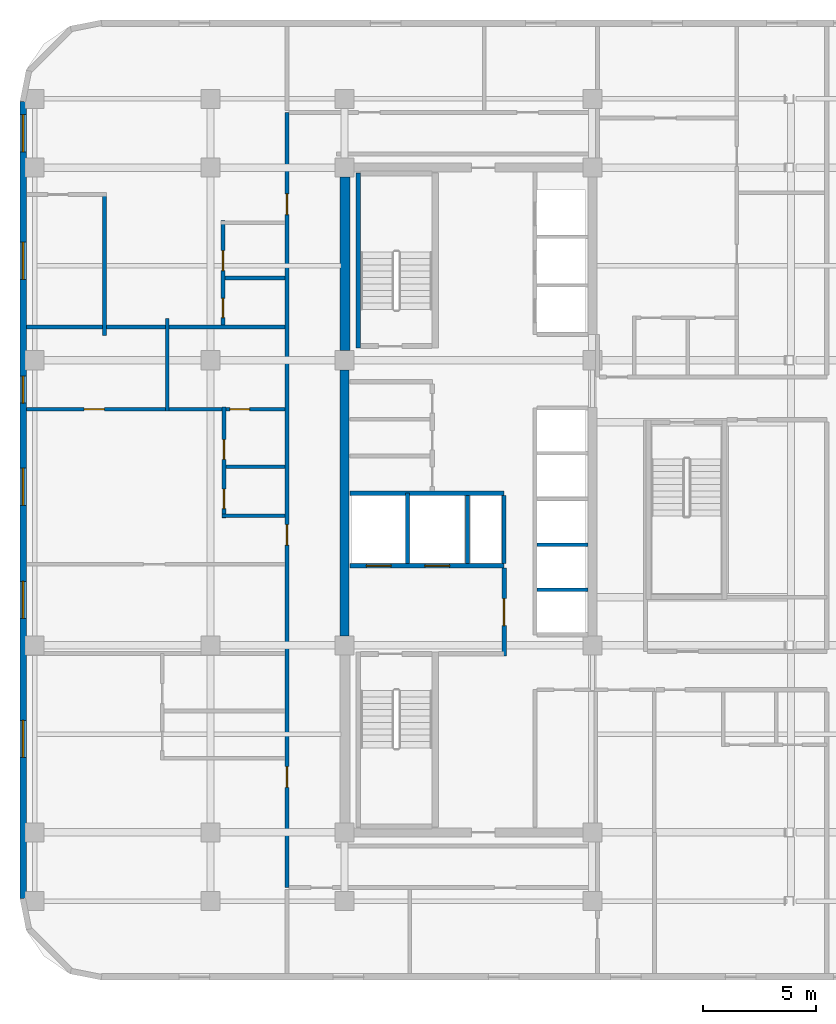
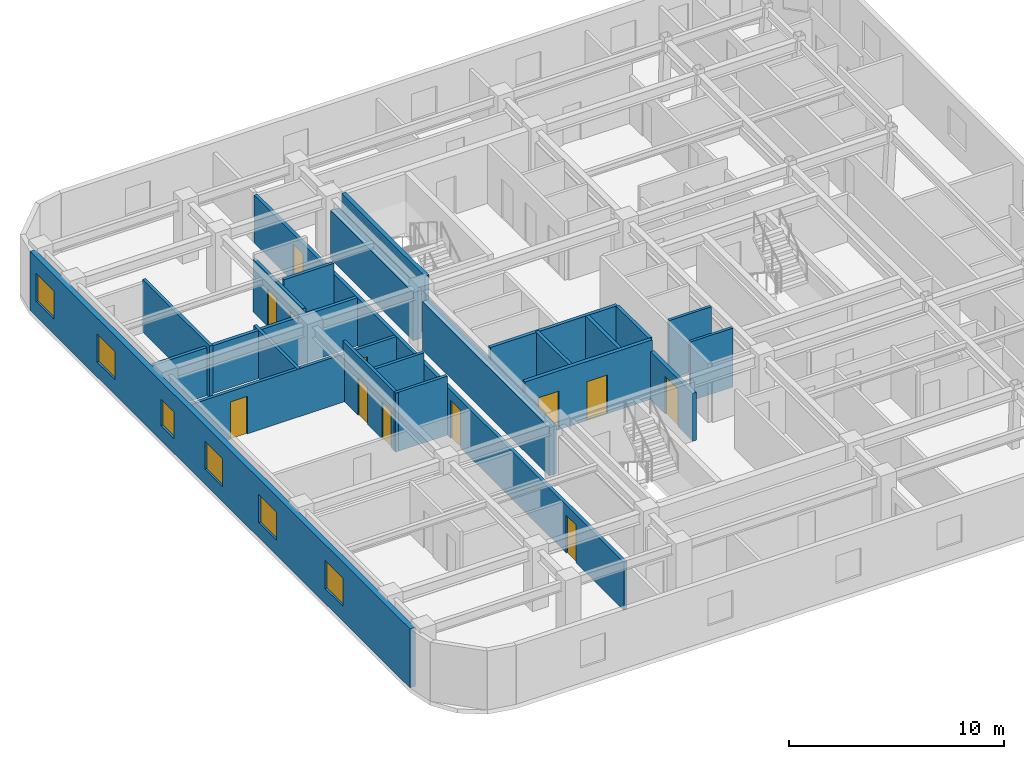
# One storey, part 4 of 9: 22 walls, 12 doors, 6 windows, 18 openings.
"""IFC4 building model written with IfcOpenShell, lengths in metres."""

from ifc_helpers import new_model, si_unit, direction, frame, frame_2d, origin, place, context, subcontext, project, spatial, rectangle, extrude, material, layer, layer_set, type_object, element, fill, save


model = new_model("IFC4")

# Units and contexts
model_context = context("Model", 3, precision=1e-05, world=origin(), true_north=direction((0.0, 1.0)))
body_context = subcontext(model_context, "Body", "Model", "MODEL_VIEW")
ifc_project = project(units=[si_unit("LENGTHUNIT", "METRE"), si_unit("AREAUNIT", "SQUARE_METRE"), si_unit("VOLUMEUNIT", "CUBIC_METRE"), si_unit("PLANEANGLEUNIT", "RADIAN"), si_unit("MASSUNIT", "GRAM", prefix="KILO")], contexts=[model_context])

# Site, building, storey
site_placement = place(None, origin())
site = spatial("IfcSite", under=ifc_project, at=site_placement, CompositionType="ELEMENT")
building_placement = place(site_placement, origin())
building = spatial("IfcBuilding", under=site, at=building_placement, Name="Ochreholt Gables", CompositionType="ELEMENT")
storey_placement = place(building_placement, frame((0.0, 0.0, 113.39990234375)))
storey = spatial("IfcBuildingStorey", under=building, at=storey_placement, Name="L29", CompositionType="ELEMENT", Elevation=113.39990234375)

# Walls
ifc_material_1 = material(Name="Concrete 60 MPa", Category="concrete")
ifc_layer_1 = layer(ifc_material_1, 0.39990234375, Name="Concrete 60 MPa")
ifc_layer_set_1 = layer_set([ifc_layer_1], Name="Concrete 60 MPa")
wall_type_1 = type_object("IfcWallType", Name="WALL-CSW-400", PredefinedType="SHEAR", material=ifc_layer_set_1)
wall_1_placement = place(storey_placement, frame((24.199951171875, 17.97509765625, 0.0), z_axis=(0.0, 0.0, 1.0), x_axis=(0.0, 1.0, 0.0)))
element("IfcWall", 1, at=wall_1_placement, inside=storey, type_object=wall_type_1, Name="L29 Core West Shear Wall WM", PredefinedType="SHEAR", context=body_context, shape_type="SweptSolid", body=[
    extrude(rectangle(XDim=11.7998046875, YDim=0.39990234375, at=frame_2d((5.89990234375, 0.0))), origin(), (0.0, 0.0, 1.0), 2.739013671875),
])
ifc_layer_2 = layer(ifc_material_1, 0.449951171875, Name="Concrete 60 MPa")
ifc_layer_set_2 = layer_set([ifc_layer_2], Name="Concrete 60 MPa")
wall_type_2 = type_object("IfcWallType", Name="WALL-CSW-450", PredefinedType="SHEAR", material=ifc_layer_set_2)
wall_2_placement = place(storey_placement, frame((24.22509765625, 30.625, 0.0), z_axis=(0.0, 0.0, 1.0), x_axis=(0.0, 1.0, 0.0)))
element("IfcWall", 2, at=wall_2_placement, inside=storey, type_object=wall_type_2, Name="L29 Core West Shear Wall WN", PredefinedType="SHEAR", context=body_context, shape_type="SweptSolid", body=[
    extrude(rectangle(XDim=7.699951171875, YDim=0.449951171875, at=frame_2d((3.85009765625, 0.0))), origin(), (0.0, 0.0, 1.0), 2.739013671875),
])

# Wall, openings, windows
ifc_material_2 = material(Name="Precast concrete 40 MPa", Category="concrete")
ifc_layer_3 = layer(ifc_material_2, 0.280029296875, Name="Precast concrete 40 MPa")
ifc_layer_set_3 = layer_set([ifc_layer_3], Name="Precast concrete 40 MPa")
wall_type_3 = type_object("IfcWallType", Name="WALL-EXT-280", PredefinedType="SOLIDWALL", material=ifc_layer_set_3)
wall_3_placement = place(storey_placement, frame((9.93994140625, 41.679931640625, 0.0), z_axis=(0.0, 0.0, 1.0), x_axis=(0.0, -1.0, 0.0)))
wall_3 = element("IfcWall", 3, at=wall_3_placement, inside=storey, type_object=wall_type_3, Name="L29 West Exterior Wall", PredefinedType="SOLIDWALL", context=body_context, shape_type="SweptSolid", body=[
    extrude(rectangle(XDim=35.35986328125, YDim=0.280029296875, at=frame_2d((17.679931640625, 0.0))), origin(), (0.0, 0.0, 1.0), 3.35009765625),
])
opening_1_placement = place(wall_3_placement, frame((27.455078125, 0.0, 0.85009765625)))
opening_1 = element("IfcOpeningElement", 4, at=opening_1_placement, cuts=wall_3, Name="Opening WN-7", PredefinedType="OPENING", context=body_context, shape_type="SweptSolid", body=[
    extrude(rectangle(XDim=1.64990234375, YDim=1.60009765625, at=frame_2d((0.824951171875, 0.800048828125))), frame((0.0, 0.14990234375, 0.0), z_axis=(0.0, -1.0, 0.0), x_axis=(1.0, 0.0, 0.0)), (0.0, 0.0, 1.0), 0.300048828125),
])
opening_2_placement = place(wall_3_placement, frame((21.28564453125, 0.0, 0.85009765625)))
opening_2 = element("IfcOpeningElement", 5, at=opening_2_placement, cuts=wall_3, Name="Opening WN-7", PredefinedType="OPENING", context=body_context, shape_type="SweptSolid", body=[
    extrude(rectangle(XDim=1.64990234375, YDim=1.60009765625, at=frame_2d((0.824951171875, 0.800048828125))), frame((0.0, 0.14990234375, 0.0), z_axis=(0.0, -1.0, 0.0), x_axis=(1.0, 0.0, 0.0)), (0.0, 0.0, 1.0), 0.300048828125),
])
opening_3_placement = place(wall_3_placement, frame((16.2666015625, 0.0, 0.85009765625)))
opening_3 = element("IfcOpeningElement", 6, at=opening_3_placement, cuts=wall_3, Name="Opening WN-7", PredefinedType="OPENING", context=body_context, shape_type="SweptSolid", body=[
    extrude(rectangle(XDim=1.64990234375, YDim=1.60009765625, at=frame_2d((0.824951171875, 0.800048828125))), frame((0.0, 0.14990234375, 0.0), z_axis=(0.0, -1.0, 0.0), x_axis=(1.0, 0.0, 0.0)), (0.0, 0.0, 1.0), 0.300048828125),
])
opening_4_placement = place(wall_3_placement, frame((12.18603515625, 0.0, 0.85009765625)))
opening_4 = element("IfcOpeningElement", 7, at=opening_4_placement, cuts=wall_3, Name="Opening WN-3", PredefinedType="OPENING", context=body_context, shape_type="SweptSolid", body=[
    extrude(rectangle(XDim=1.199951171875, YDim=1.5, at=frame_2d((0.60009765625, 0.75))), frame((0.0, 0.14990234375, 0.0), z_axis=(0.0, -1.0, 0.0), x_axis=(1.0, 0.0, 0.0)), (0.0, 0.0, 1.0), 0.300048828125),
])
opening_5_placement = place(wall_3_placement, frame((6.241943359375, 0.0, 0.85009765625)))
opening_5 = element("IfcOpeningElement", 8, at=opening_5_placement, cuts=wall_3, Name="Opening WN-7", PredefinedType="OPENING", context=body_context, shape_type="SweptSolid", body=[
    extrude(rectangle(XDim=1.64990234375, YDim=1.60009765625, at=frame_2d((0.824951171875, 0.800048828125))), frame((0.0, 0.14990234375, 0.0), z_axis=(0.0, -1.0, 0.0), x_axis=(1.0, 0.0, 0.0)), (0.0, 0.0, 1.0), 0.300048828125),
])
opening_6_placement = place(wall_3_placement, frame((0.580078125, 0.0, 0.85009765625)))
opening_6 = element("IfcOpeningElement", 9, at=opening_6_placement, cuts=wall_3, Name="Opening WN-7", PredefinedType="OPENING", context=body_context, shape_type="SweptSolid", body=[
    extrude(rectangle(XDim=1.64990234375, YDim=1.60009765625, at=frame_2d((0.824951171875, 0.800048828125))), frame((0.0, 0.14990234375, 0.0), z_axis=(0.0, -1.0, 0.0), x_axis=(1.0, 0.0, 0.0)), (0.0, 0.0, 1.0), 0.300048828125),
])
ifc_material_3 = material(Name="Triple-Glazed Thermally Broken Aluminium Window", Category="aluminium")
window_type_1 = type_object("IfcWindowType", Name="WIN-RES-1200", PartitioningType="SINGLE_PANEL", PredefinedType="WINDOW", material=ifc_material_3)
window_1_placement = place(opening_4_placement, origin())
window_1 = element("IfcWindow", 10, at=window_1_placement, inside=storey, type_object=window_type_1, Name="L29 Window W-EXT-W-L29-4", OverallHeight=1.5, OverallWidth=1.199951171875, PartitioningType="SINGLE_PANEL", PredefinedType="WINDOW", context=body_context, shape_type="SweptSolid", body=[
    extrude(rectangle(XDim=1.199951171875, YDim=1.5, at=frame_2d((0.60009765625, 0.75))), frame((0.0, 0.030029296875, 0.0), z_axis=(0.0, -1.0, 0.0), x_axis=(1.0, 0.0, 0.0)), (0.0, 0.0, 1.0), 0.06005859375),
])
fill(opening_4, window_1)
window_type_2 = type_object("IfcWindowType", Name="WIN-RES-1650", PartitioningType="SINGLE_PANEL", PredefinedType="WINDOW", material=ifc_material_3)
window_2_placement = place(opening_1_placement, origin())
window_2 = element("IfcWindow", 11, at=window_2_placement, inside=storey, type_object=window_type_2, Name="L29 Window W-EXT-W-L29-1", OverallHeight=1.60009765625, OverallWidth=1.64990234375, PartitioningType="SINGLE_PANEL", PredefinedType="WINDOW", context=body_context, shape_type="SweptSolid", body=[
    extrude(rectangle(XDim=1.64990234375, YDim=1.60009765625, at=frame_2d((0.824951171875, 0.800048828125))), frame((0.0, 0.030029296875, 0.0), z_axis=(0.0, -1.0, 0.0), x_axis=(1.0, 0.0, 0.0)), (0.0, 0.0, 1.0), 0.06005859375),
])
fill(opening_1, window_2)
window_3_placement = place(opening_2_placement, origin())
window_3 = element("IfcWindow", 12, at=window_3_placement, inside=storey, type_object=window_type_2, Name="L29 Window W-EXT-W-L29-2", OverallHeight=1.60009765625, OverallWidth=1.64990234375, PartitioningType="SINGLE_PANEL", PredefinedType="WINDOW", context=body_context, shape_type="SweptSolid", body=[
    extrude(rectangle(XDim=1.64990234375, YDim=1.60009765625, at=frame_2d((0.824951171875, 0.800048828125))), frame((0.0, 0.030029296875, 0.0), z_axis=(0.0, -1.0, 0.0), x_axis=(1.0, 0.0, 0.0)), (0.0, 0.0, 1.0), 0.06005859375),
])
fill(opening_2, window_3)
window_4_placement = place(opening_3_placement, origin())
window_4 = element("IfcWindow", 13, at=window_4_placement, inside=storey, type_object=window_type_2, Name="L29 Window W-EXT-W-L29-3", OverallHeight=1.60009765625, OverallWidth=1.64990234375, PartitioningType="SINGLE_PANEL", PredefinedType="WINDOW", context=body_context, shape_type="SweptSolid", body=[
    extrude(rectangle(XDim=1.64990234375, YDim=1.60009765625, at=frame_2d((0.824951171875, 0.800048828125))), frame((0.0, 0.030029296875, 0.0), z_axis=(0.0, -1.0, 0.0), x_axis=(1.0, 0.0, 0.0)), (0.0, 0.0, 1.0), 0.06005859375),
])
fill(opening_3, window_4)
window_5_placement = place(opening_5_placement, origin())
window_5 = element("IfcWindow", 14, at=window_5_placement, inside=storey, type_object=window_type_2, Name="L29 Window W-EXT-W-L29-5", OverallHeight=1.60009765625, OverallWidth=1.64990234375, PartitioningType="SINGLE_PANEL", PredefinedType="WINDOW", context=body_context, shape_type="SweptSolid", body=[
    extrude(rectangle(XDim=1.64990234375, YDim=1.60009765625, at=frame_2d((0.824951171875, 0.800048828125))), frame((0.0, 0.030029296875, 0.0), z_axis=(0.0, -1.0, 0.0), x_axis=(1.0, 0.0, 0.0)), (0.0, 0.0, 1.0), 0.06005859375),
])
fill(opening_5, window_5)
window_6_placement = place(opening_6_placement, origin())
window_6 = element("IfcWindow", 15, at=window_6_placement, inside=storey, type_object=window_type_2, Name="L29 Window W-EXT-W-L29-6", OverallHeight=1.60009765625, OverallWidth=1.64990234375, PartitioningType="SINGLE_PANEL", PredefinedType="WINDOW", context=body_context, shape_type="SweptSolid", body=[
    extrude(rectangle(XDim=1.64990234375, YDim=1.60009765625, at=frame_2d((0.824951171875, 0.800048828125))), frame((0.0, 0.030029296875, 0.0), z_axis=(0.0, -1.0, 0.0), x_axis=(1.0, 0.0, 0.0)), (0.0, 0.0, 1.0), 0.06005859375),
])
fill(opening_6, window_6)

# Wall, openings, doors
ifc_material_4 = material(Name="Concrete 40 MPa", Category="concrete")
ifc_layer_4 = layer(ifc_material_4, 0.199951171875, Name="Concrete 40 MPa")
ifc_layer_set_4 = layer_set([ifc_layer_4], Name="Concrete 40 MPa")
wall_type_4 = type_object("IfcWallType", Name="WALL-INT-CF200", PredefinedType="STANDARD", material=ifc_layer_set_4)
wall_4_placement = place(storey_placement, frame((24.449951171875, 21.090087890625, 0.0), z_axis=(0.0, 0.0, 1.0), x_axis=(1.0, 0.0, 0.0)))
wall_4 = element("IfcWall", 16, at=wall_4_placement, inside=storey, type_object=wall_type_4, Name="L29 Interior Wall WI-FFN-L29", PredefinedType="STANDARD", context=body_context, shape_type="SweptSolid", body=[
    extrude(rectangle(XDim=6.830078125, YDim=0.199951171875, at=frame_2d((3.4150390625, 0.0))), origin(), (0.0, 0.0, 1.0), 3.35009765625),
])
opening_7_placement = place(wall_4_placement, frame((0.719970703125, 0.0, 0.0)))
opening_7 = element("IfcOpeningElement", 17, at=opening_7_placement, cuts=wall_4, Name="Opening LD-FF", PredefinedType="OPENING", context=body_context, shape_type="SweptSolid", body=[
    extrude(rectangle(XDim=1.10009765625, YDim=2.199951171875, at=frame_2d((0.550048828125, 1.10009765625))), frame((0.0, 0.10986328125, 0.0), z_axis=(0.0, -1.0, 0.0), x_axis=(1.0, 0.0, 0.0)), (0.0, 0.0, 1.0), 0.219970703125),
])
opening_8_placement = place(wall_4_placement, frame((3.320068359375, 0.0, 0.0)))
opening_8 = element("IfcOpeningElement", 18, at=opening_8_placement, cuts=wall_4, Name="Opening LD-FF", PredefinedType="OPENING", context=body_context, shape_type="SweptSolid", body=[
    extrude(rectangle(XDim=1.10009765625, YDim=2.199951171875, at=frame_2d((0.550048828125, 1.10009765625))), frame((0.0, 0.10986328125, 0.0), z_axis=(0.0, -1.0, 0.0), x_axis=(1.0, 0.0, 0.0)), (0.0, 0.0, 1.0), 0.219970703125),
])
ifc_material_5 = material(Name="Stainless Steel", Category="steel")
door_type_1 = type_object("IfcDoorType", Name="DR-LFT-FF1100", OperationType="NOTDEFINED", PredefinedType="DOOR", material=ifc_material_5)
door_1_placement = place(opening_7_placement, origin())
door_1 = element("IfcDoor", 19, at=door_1_placement, inside=storey, type_object=door_type_1, Name="L29 Door LD-FF1-L29", OperationType="SLIDING_TO_LEFT", OverallHeight=2.199951171875, OverallWidth=1.10009765625, PredefinedType="DOOR", context=body_context, shape_type="SweptSolid", body=[
    extrude(rectangle(XDim=1.10009765625, YDim=2.199951171875, at=frame_2d((0.550048828125, 1.10009765625))), frame((0.0, 0.02490234375, 0.0), z_axis=(0.0, -1.0, 0.0), x_axis=(1.0, 0.0, 0.0)), (0.0, 0.0, 1.0), 0.050048828125),
])
fill(opening_7, door_1)
door_2_placement = place(opening_8_placement, origin())
door_2 = element("IfcDoor", 20, at=door_2_placement, inside=storey, type_object=door_type_1, Name="L29 Door LD-FF2-L29", OperationType="SLIDING_TO_LEFT", OverallHeight=2.199951171875, OverallWidth=1.10009765625, PredefinedType="DOOR", context=body_context, shape_type="SweptSolid", body=[
    extrude(rectangle(XDim=1.10009765625, YDim=2.199951171875, at=frame_2d((0.550048828125, 1.10009765625))), frame((0.0, 0.02490234375, 0.0), z_axis=(0.0, -1.0, 0.0), x_axis=(1.0, 0.0, 0.0)), (0.0, 0.0, 1.0), 0.050048828125),
])
fill(opening_8, door_2)

# Wall, opening, door
wall_5_placement = place(storey_placement, frame((31.280029296875, 17.070068359375, 0.0), z_axis=(0.0, 0.0, 1.0), x_axis=(0.0, 1.0, 0.0)))
wall_5 = element("IfcWall", 21, at=wall_5_placement, inside=storey, type_object=wall_type_4, Name="L29 Interior Wall WI-FFE-L29", PredefinedType="STANDARD", context=body_context, shape_type="SweptSolid", body=[
    extrude(rectangle(XDim=3.919921875, YDim=0.199951171875, at=frame_2d((1.9599609375, 0.0))), origin(), (0.0, 0.0, 1.0), 2.72119140625),
])
opening_9_placement = place(wall_5_placement, frame((1.35009765625, 0.0, 0.0)))
opening_9 = element("IfcOpeningElement", 22, at=opening_9_placement, cuts=wall_5, Name="Opening D-FFL", PredefinedType="OPENING", context=body_context, shape_type="SweptSolid", body=[
    extrude(rectangle(XDim=1.199951171875, YDim=2.14990234375, at=frame_2d((0.60009765625, 1.074951171875))), frame((0.0, 0.10986328125, 0.0), z_axis=(0.0, -1.0, 0.0), x_axis=(1.0, 0.0, 0.0)), (0.0, 0.0, 1.0), 0.219970703125),
])
ifc_material_6 = material(Name="Hollow Metal Steel", Category="steel")
door_type_2 = type_object("IfcDoorType", Name="DR-INT-FFL1200", OperationType="NOTDEFINED", PredefinedType="DOOR", material=ifc_material_6)
door_3_placement = place(opening_9_placement, origin())
door_3 = element("IfcDoor", 23, at=door_3_placement, inside=storey, type_object=door_type_2, Name="L29 Door D-FFL-L29", OperationType="SINGLE_SWING_LEFT", OverallHeight=2.14990234375, OverallWidth=1.199951171875, PredefinedType="DOOR", context=body_context, shape_type="SweptSolid", body=[
    extrude(rectangle(XDim=1.199951171875, YDim=2.14990234375, at=frame_2d((0.60009765625, 1.074951171875))), frame((0.0, 0.02490234375, 0.0), z_axis=(0.0, -1.0, 0.0), x_axis=(1.0, 0.0, 0.0)), (0.0, 0.0, 1.0), 0.050048828125),
])
fill(opening_9, door_3)

# Wall, openings, doors
ifc_material_7 = material(Name="Fire-Rated Gypsum Acoustic Partition", Category="gypsum")
ifc_layer_5 = layer(ifc_material_7, 0.179931640625, Name="Fire-Rated Gypsum Acoustic Partition")
ifc_layer_set_5 = layer_set([ifc_layer_5], Name="Fire-Rated Gypsum Acoustic Partition")
wall_type_5 = type_object("IfcWallType", Name="WALL-INT-CR180", PredefinedType="STANDARD", material=ifc_layer_set_5)
wall_6_placement = place(storey_placement, frame((21.64990234375, 6.800048828125, 0.0), z_axis=(0.0, 0.0, 1.0), x_axis=(0.0, 1.0, 0.0)))
wall_6 = element("IfcWall", 24, at=wall_6_placement, inside=storey, type_object=wall_type_5, Name="L29 Interior Wall WI-C2WCW-L29", PredefinedType="STANDARD", context=body_context, shape_type="SweptSolid", body=[
    extrude(rectangle(XDim=34.39990234375, YDim=0.179931640625, at=frame_2d((17.199951171875, 0.0))), origin(), (0.0, 0.0, 1.0), 2.72119140625),
])
opening_10_placement = place(wall_6_placement, frame((4.444091796875, 0.0, 0.0)))
opening_10 = element("IfcOpeningElement", 25, at=opening_10_placement, cuts=wall_6, Name="Opening D-UN1", PredefinedType="OPENING", context=body_context, shape_type="SweptSolid", body=[
    extrude(rectangle(XDim=0.919921875, YDim=2.14990234375, at=frame_2d((0.4599609375, 1.074951171875))), frame((0.0, 0.099853515625, 0.0), z_axis=(0.0, -1.0, 0.0), x_axis=(1.0, 0.0, 0.0)), (0.0, 0.0, 1.0), 0.199951171875),
])
opening_11_placement = place(wall_6_placement, frame((15.1923828125, 0.0, 0.0)))
opening_11 = element("IfcOpeningElement", 26, at=opening_11_placement, cuts=wall_6, Name="Opening D-UN1", PredefinedType="OPENING", context=body_context, shape_type="SweptSolid", body=[
    extrude(rectangle(XDim=0.919921875, YDim=2.14990234375, at=frame_2d((0.4599609375, 1.074951171875))), frame((0.0, 0.099853515625, 0.0), z_axis=(0.0, -1.0, 0.0), x_axis=(1.0, 0.0, 0.0)), (0.0, 0.0, 1.0), 0.199951171875),
])
opening_12_placement = place(wall_6_placement, frame((29.867919921875, 0.0, 0.0)))
opening_12 = element("IfcOpeningElement", 27, at=opening_12_placement, cuts=wall_6, Name="Opening D-UN1", PredefinedType="OPENING", context=body_context, shape_type="SweptSolid", body=[
    extrude(rectangle(XDim=0.919921875, YDim=2.14990234375, at=frame_2d((0.4599609375, 1.074951171875))), frame((0.0, 0.099853515625, 0.0), z_axis=(0.0, -1.0, 0.0), x_axis=(1.0, 0.0, 0.0)), (0.0, 0.0, 1.0), 0.199951171875),
])
ifc_material_8 = material(Name="Engineered Oak Timber", Category="wood")
door_type_3 = type_object("IfcDoorType", Name="DR-INT-UNT920", OperationType="NOTDEFINED", PredefinedType="DOOR", material=ifc_material_8)
door_4_placement = place(opening_10_placement, origin())
door_4 = element("IfcDoor", 28, at=door_4_placement, inside=storey, type_object=door_type_3, Name="L29 Door D-U-L29W1-ENT", OperationType="SINGLE_SWING_RIGHT", OverallHeight=2.14990234375, OverallWidth=0.919921875, PredefinedType="DOOR", context=body_context, shape_type="SweptSolid", body=[
    extrude(rectangle(XDim=0.919921875, YDim=2.14990234375, at=frame_2d((0.4599609375, 1.074951171875))), frame((0.0, 0.02490234375, 0.0), z_axis=(0.0, -1.0, 0.0), x_axis=(1.0, 0.0, 0.0)), (0.0, 0.0, 1.0), 0.050048828125),
])
fill(opening_10, door_4)
door_5_placement = place(opening_11_placement, origin())
door_5 = element("IfcDoor", 29, at=door_5_placement, inside=storey, type_object=door_type_3, Name="L29 Door D-U-L29W2-ENT", OperationType="SINGLE_SWING_LEFT", OverallHeight=2.14990234375, OverallWidth=0.919921875, PredefinedType="DOOR", context=body_context, shape_type="SweptSolid", body=[
    extrude(rectangle(XDim=0.919921875, YDim=2.14990234375, at=frame_2d((0.4599609375, 1.074951171875))), frame((0.0, 0.02490234375, 0.0), z_axis=(0.0, -1.0, 0.0), x_axis=(1.0, 0.0, 0.0)), (0.0, 0.0, 1.0), 0.050048828125),
])
fill(opening_11, door_5)
door_6_placement = place(opening_12_placement, origin())
door_6 = element("IfcDoor", 30, at=door_6_placement, inside=storey, type_object=door_type_3, Name="L29 Door D-U-L29W3-ENT", OperationType="SINGLE_SWING_RIGHT", OverallHeight=2.14990234375, OverallWidth=0.919921875, PredefinedType="DOOR", context=body_context, shape_type="SweptSolid", body=[
    extrude(rectangle(XDim=0.919921875, YDim=2.14990234375, at=frame_2d((0.4599609375, 1.074951171875))), frame((0.0, 0.02490234375, 0.0), z_axis=(0.0, -1.0, 0.0), x_axis=(1.0, 0.0, 0.0)), (0.0, 0.0, 1.0), 0.050048828125),
])
fill(opening_12, door_6)

# Walls
ifc_material_9 = material(Name="Double-Stud Acoustic Demising Wall", Category="gypsum")
ifc_layer_6 = layer(ifc_material_9, 0.179931640625, Name="Double-Stud Acoustic Demising Wall")
ifc_layer_set_6 = layer_set([ifc_layer_6], Name="Double-Stud Acoustic Demising Wall")
wall_type_6 = type_object("IfcWallType", Name="WALL-INT-DM180", PredefinedType="PARTITIONING", material=ifc_layer_set_6)
wall_7_placement = place(storey_placement, frame((10.080078125, 31.66796875, 0.0), z_axis=(0.0, 0.0, 1.0), x_axis=(1.0, 0.0, 0.0)))
element("IfcWall", 31, at=wall_7_placement, inside=storey, type_object=wall_type_6, Name="L29 Interior Wall WI-C2UDW3-L29", PredefinedType="PARTITIONING", context=body_context, shape_type="SweptSolid", body=[
    extrude(rectangle(XDim=11.47998046875, YDim=0.179931640625, at=frame_2d((5.739990234375, 0.0))), origin(), (0.0, 0.0, 1.0), 2.72119140625),
])
ifc_material_10 = material(Name="Moisture-Resistant Plumbing Chase Wall", Category="gypsum")
ifc_layer_7 = layer(ifc_material_10, 0.159912109375, Name="Moisture-Resistant Plumbing Chase Wall")
ifc_layer_set_7 = layer_set([ifc_layer_7], Name="Moisture-Resistant Plumbing Chase Wall")
wall_type_7 = type_object("IfcWallType", Name="WALL-INT-PL160", PredefinedType="PLUMBINGWALL", material=ifc_layer_set_7)
wall_8_placement = place(storey_placement, frame((18.77197265625, 23.29248046875, 0.0), z_axis=(0.0, 0.0, 1.0), x_axis=(1.0, 0.0, 0.0)))
element("IfcWall", 32, at=wall_8_placement, inside=storey, type_object=wall_type_7, Name="L29 Interior Wall WU-L29W2-FYS", PredefinedType="PLUMBINGWALL", context=body_context, shape_type="SweptSolid", body=[
    extrude(rectangle(XDim=2.7880859375, YDim=0.159912109375, at=frame_2d((1.39404296875, 0.0))), origin(), (0.0, 0.0, 1.0), 3.35009765625),
])

# Wall, openings, doors
wall_9_placement = place(storey_placement, frame((18.85205078125, 23.202392578125, 0.0), z_axis=(0.0, 0.0, 1.0), x_axis=(0.0, 1.0, 0.0)))
wall_9 = element("IfcWall", 33, at=wall_9_placement, inside=storey, type_object=wall_type_7, Name="L29 Interior Wall WU-L29W2-WX", PredefinedType="PLUMBINGWALL", context=body_context, shape_type="SweptSolid", body=[
    extrude(rectangle(XDim=4.91552734375, YDim=0.159912109375, at=frame_2d((2.457763671875, 0.0))), origin(), (0.0, 0.0, 1.0), 3.35009765625),
])
opening_13_placement = place(wall_9_placement, frame((0.419921875, 0.0, 0.0)))
opening_13 = element("IfcOpeningElement", 34, at=opening_13_placement, cuts=wall_9, Name="Opening D-BT1", PredefinedType="OPENING", context=body_context, shape_type="SweptSolid", body=[
    extrude(rectangle(XDim=0.860107421875, YDim=2.1201171875, at=frame_2d((0.43017578125, 1.06005859375))), frame((0.0, 0.08984375, 0.0), z_axis=(0.0, -1.0, 0.0), x_axis=(1.0, 0.0, 0.0)), (0.0, 0.0, 1.0), 0.179931640625),
])
opening_14_placement = place(wall_9_placement, frame((2.598388671875, 0.0, 0.0)))
opening_14 = element("IfcOpeningElement", 35, at=opening_14_placement, cuts=wall_9, Name="Opening D-GN2", PredefinedType="OPENING", context=body_context, shape_type="SweptSolid", body=[
    extrude(rectangle(XDim=0.8798828125, YDim=2.1201171875, at=frame_2d((0.43994140625, 1.06005859375))), frame((0.0, 0.08984375, 0.0), z_axis=(0.0, -1.0, 0.0), x_axis=(1.0, 0.0, 0.0)), (0.0, 0.0, 1.0), 0.179931640625),
])
door_type_4 = type_object("IfcDoorType", Name="DR-INT-BTH860", OperationType="NOTDEFINED", PredefinedType="DOOR", material=ifc_material_8)
door_7_placement = place(opening_13_placement, origin())
door_7 = element("IfcDoor", 36, at=door_7_placement, inside=storey, type_object=door_type_4, Name="L29 Door D-U-L29W2-BTH", OperationType="SINGLE_SWING_RIGHT", OverallHeight=2.1201171875, OverallWidth=0.860107421875, PredefinedType="DOOR", context=body_context, shape_type="SweptSolid", body=[
    extrude(rectangle(XDim=0.860107421875, YDim=2.1201171875, at=frame_2d((0.43017578125, 1.06005859375))), frame((0.0, 0.02490234375, 0.0), z_axis=(0.0, -1.0, 0.0), x_axis=(1.0, 0.0, 0.0)), (0.0, 0.0, 1.0), 0.050048828125),
])
fill(opening_13, door_7)
door_type_5 = type_object("IfcDoorType", Name="DR-INT-GEN880", OperationType="NOTDEFINED", PredefinedType="DOOR", material=ifc_material_8)
door_8_placement = place(opening_14_placement, origin())
door_8 = element("IfcDoor", 37, at=door_8_placement, inside=storey, type_object=door_type_5, Name="L29 Door D-U-L29W2-KIT", OperationType="SINGLE_SWING_LEFT", OverallHeight=2.1201171875, OverallWidth=0.8798828125, PredefinedType="DOOR", context=body_context, shape_type="SweptSolid", body=[
    extrude(rectangle(XDim=0.8798828125, YDim=2.1201171875, at=frame_2d((0.43994140625, 1.06005859375))), frame((0.0, 0.02490234375, 0.0), z_axis=(0.0, -1.0, 0.0), x_axis=(1.0, 0.0, 0.0)), (0.0, 0.0, 1.0), 0.050048828125),
])
fill(opening_14, door_8)

# Wall
wall_10_placement = place(storey_placement, frame((18.931884765625, 25.470703125, 0.0), z_axis=(0.0, 0.0, 1.0), x_axis=(1.0, 0.0, 0.0)))
element("IfcWall", 38, at=wall_10_placement, inside=storey, type_object=wall_type_7, Name="L29 Interior Wall WU-L29W2-WK", PredefinedType="PLUMBINGWALL", context=body_context, shape_type="SweptSolid", body=[
    extrude(rectangle(XDim=2.628173828125, YDim=0.159912109375, at=frame_2d((1.31396484375, 0.0))), origin(), (0.0, 0.0, 1.0), 3.35009765625),
])

# Wall, openings, doors
wall_11_placement = place(storey_placement, frame((18.805908203125, 31.758056640625, 0.0), z_axis=(0.0, 0.0, 1.0), x_axis=(0.0, 1.0, 0.0)))
wall_11 = element("IfcWall", 39, at=wall_11_placement, inside=storey, type_object=wall_type_7, Name="L29 Interior Wall WU-L29W3-WX", PredefinedType="PLUMBINGWALL", context=body_context, shape_type="SweptSolid", body=[
    extrude(rectangle(XDim=4.639892578125, YDim=0.159912109375, at=frame_2d((2.31982421875, 0.0))), origin(), (0.0, 0.0, 1.0), 2.97802734375),
])
opening_15_placement = place(wall_11_placement, frame((0.330078125, 0.0, 0.0)))
opening_15 = element("IfcOpeningElement", 40, at=opening_15_placement, cuts=wall_11, Name="Opening D-BT1", PredefinedType="OPENING", context=body_context, shape_type="SweptSolid", body=[
    extrude(rectangle(XDim=0.860107421875, YDim=2.1201171875, at=frame_2d((0.43017578125, 1.06005859375))), frame((0.0, 0.08984375, 0.0), z_axis=(0.0, -1.0, 0.0), x_axis=(1.0, 0.0, 0.0)), (0.0, 0.0, 1.0), 0.179931640625),
])
opening_16_placement = place(wall_11_placement, frame((2.423095703125, 0.0, 0.0)))
opening_16 = element("IfcOpeningElement", 41, at=opening_16_placement, cuts=wall_11, Name="Opening D-GN2", PredefinedType="OPENING", context=body_context, shape_type="SweptSolid", body=[
    extrude(rectangle(XDim=0.8798828125, YDim=2.1201171875, at=frame_2d((0.43994140625, 1.06005859375))), frame((0.0, 0.08984375, 0.0), z_axis=(0.0, -1.0, 0.0), x_axis=(1.0, 0.0, 0.0)), (0.0, 0.0, 1.0), 0.179931640625),
])
door_9_placement = place(opening_15_placement, origin())
door_9 = element("IfcDoor", 42, at=door_9_placement, inside=storey, type_object=door_type_4, Name="L29 Door D-U-L29W3-BTH", OperationType="SINGLE_SWING_LEFT", OverallHeight=2.1201171875, OverallWidth=0.860107421875, PredefinedType="DOOR", context=body_context, shape_type="SweptSolid", body=[
    extrude(rectangle(XDim=0.860107421875, YDim=2.1201171875, at=frame_2d((0.43017578125, 1.06005859375))), frame((0.0, 0.02490234375, 0.0), z_axis=(0.0, -1.0, 0.0), x_axis=(1.0, 0.0, 0.0)), (0.0, 0.0, 1.0), 0.050048828125),
])
fill(opening_15, door_9)
door_10_placement = place(opening_16_placement, origin())
door_10 = element("IfcDoor", 43, at=door_10_placement, inside=storey, type_object=door_type_5, Name="L29 Door D-U-L29W3-KIT", OperationType="SINGLE_SWING_RIGHT", OverallHeight=2.1201171875, OverallWidth=0.8798828125, PredefinedType="DOOR", context=body_context, shape_type="SweptSolid", body=[
    extrude(rectangle(XDim=0.8798828125, YDim=2.1201171875, at=frame_2d((0.43994140625, 1.06005859375))), frame((0.0, 0.02490234375, 0.0), z_axis=(0.0, -1.0, 0.0), x_axis=(1.0, 0.0, 0.0)), (0.0, 0.0, 1.0), 0.050048828125),
])
fill(opening_16, door_10)

# Wall
wall_12_placement = place(storey_placement, frame((18.885986328125, 33.85107421875, 0.0), z_axis=(0.0, 0.0, 1.0), x_axis=(1.0, 0.0, 0.0)))
element("IfcWall", 44, at=wall_12_placement, inside=storey, type_object=wall_type_7, Name="L29 Interior Wall WU-L29W3-WM", PredefinedType="PLUMBINGWALL", context=body_context, shape_type="SweptSolid", body=[
    extrude(rectangle(XDim=2.674072265625, YDim=0.159912109375, at=frame_2d((1.3369140625, 0.0))), origin(), (0.0, 0.0, 1.0), 3.35009765625),
])

# Wall, openings, doors
ifc_material_11 = material(Name="Gypsum Acoustic Stud Partition", Category="gypsum")
ifc_layer_8 = layer(ifc_material_11, 0.1650390625, Name="Gypsum Acoustic Stud Partition")
ifc_layer_set_8 = layer_set([ifc_layer_8], Name="Gypsum Acoustic Stud Partition")
wall_type_8 = type_object("IfcWallType", Name="WALL-INT-PT165", PredefinedType="PARTITIONING", material=ifc_layer_set_8)
wall_13_placement = place(storey_placement, frame((10.080078125, 28.028076171875, 0.0), z_axis=(0.0, 0.0, 1.0), x_axis=(1.0, 0.0, 0.0)))
wall_13 = element("IfcWall", 45, at=wall_13_placement, inside=storey, type_object=wall_type_8, Name="L29 Interior Wall WU-L29W2-MN", PredefinedType="PARTITIONING", context=body_context, shape_type="SweptSolid", body=[
    extrude(rectangle(XDim=11.47998046875, YDim=0.1650390625, at=frame_2d((5.739990234375, 0.0))), origin(), (0.0, 0.0, 1.0), 2.72119140625),
])
opening_17_placement = place(wall_13_placement, frame((9.03271484375, 0.0, 0.0)))
opening_17 = element("IfcOpeningElement", 46, at=opening_17_placement, cuts=wall_13, Name="Opening D-GN2", PredefinedType="OPENING", context=body_context, shape_type="SweptSolid", body=[
    extrude(rectangle(XDim=0.8798828125, YDim=2.1201171875, at=frame_2d((0.43994140625, 1.06005859375))), frame((0.0, 0.092529296875, 0.0), z_axis=(0.0, -1.0, 0.0), x_axis=(1.0, 0.0, 0.0)), (0.0, 0.0, 1.0), 0.18505859375),
])
opening_18_placement = place(wall_13_placement, frame((2.56787109375, 0.0, 0.0)))
opening_18 = element("IfcOpeningElement", 47, at=opening_18_placement, cuts=wall_13, Name="Opening D-BD1", PredefinedType="OPENING", context=body_context, shape_type="SweptSolid", body=[
    extrude(rectangle(XDim=0.89990234375, YDim=2.139892578125, at=frame_2d((0.449951171875, 1.06982421875))), frame((0.0, 0.092529296875, 0.0), z_axis=(0.0, -1.0, 0.0), x_axis=(1.0, 0.0, 0.0)), (0.0, 0.0, 1.0), 0.18505859375),
])
door_type_6 = type_object("IfcDoorType", Name="DR-INT-BED900", OperationType="NOTDEFINED", PredefinedType="DOOR", material=ifc_material_8)
door_11_placement = place(opening_18_placement, origin())
door_11 = element("IfcDoor", 48, at=door_11_placement, inside=storey, type_object=door_type_6, Name="L29 Door D-U-L29W2-BD1", OperationType="SINGLE_SWING_RIGHT", OverallHeight=2.139892578125, OverallWidth=0.89990234375, PredefinedType="DOOR", context=body_context, shape_type="SweptSolid", body=[
    extrude(rectangle(XDim=0.89990234375, YDim=2.139892578125, at=frame_2d((0.449951171875, 1.06982421875))), frame((0.0, 0.02490234375, 0.0), z_axis=(0.0, -1.0, 0.0), x_axis=(1.0, 0.0, 0.0)), (0.0, 0.0, 1.0), 0.050048828125),
])
fill(opening_18, door_11)
door_12_placement = place(opening_17_placement, origin())
door_12 = element("IfcDoor", 49, at=door_12_placement, inside=storey, type_object=door_type_5, Name="L29 Door D-U-L29W2-STD", OperationType="SINGLE_SWING_LEFT", OverallHeight=2.1201171875, OverallWidth=0.8798828125, PredefinedType="DOOR", context=body_context, shape_type="SweptSolid", body=[
    extrude(rectangle(XDim=0.8798828125, YDim=2.1201171875, at=frame_2d((0.43994140625, 1.06005859375))), frame((0.0, 0.02490234375, 0.0), z_axis=(0.0, -1.0, 0.0), x_axis=(1.0, 0.0, 0.0)), (0.0, 0.0, 1.0), 0.050048828125),
])
fill(opening_17, door_12)

# Walls
wall_14_placement = place(storey_placement, frame((16.33544921875, 27.947998046875, 0.0), z_axis=(0.0, 0.0, 1.0), x_axis=(0.0, 1.0, 0.0)))
element("IfcWall", 50, at=wall_14_placement, inside=storey, type_object=wall_type_8, Name="L29 Interior Wall WU-L29W2-BSD", PredefinedType="PARTITIONING", context=body_context, shape_type="SweptSolid", body=[
    extrude(rectangle(XDim=4.110107421875, YDim=0.1650390625, at=frame_2d((2.05517578125, 0.0))), origin(), (0.0, 0.0, 1.0), 2.72119140625),
])
wall_15_placement = place(storey_placement, frame((13.550048828125, 31.30810546875, 0.0), z_axis=(0.0, 0.0, 1.0), x_axis=(0.0, 1.0, 0.0)))
element("IfcWall", 51, at=wall_15_placement, inside=storey, type_object=wall_type_8, Name="L29 Interior Wall WU-L29W3-STW", PredefinedType="PARTITIONING", context=body_context, shape_type="SweptSolid", body=[
    extrude(rectangle(XDim=6.25, YDim=0.1650390625, at=frame_2d((3.125, 0.0))), origin(), (0.0, 0.0, 1.0), 2.97802734375),
])
ifc_material_12 = material(Name="Gypsum Shaftliner and Steel Stud", Category="steel")
ifc_layer_9 = layer(ifc_material_12, 0.14990234375, Name="Gypsum Shaftliner and Steel Stud")
ifc_layer_set_9 = layer_set([ifc_layer_9], Name="Gypsum Shaftliner and Steel Stud")
wall_type_9 = type_object("IfcWallType", Name="WALL-INT-SH150", PredefinedType="STANDARD", material=ifc_layer_set_9)
for number, where, z_axis, x_axis, name in (
    (52, (32.739990234375, 20.02001953125, 0.0), (0.0, 0.0, 1.0), (1.0, 0.0, 0.0), "L29 Interior Wall WI-LFHE-DH1-L29"),
    (53, (32.739990234375, 22.02001953125, 0.0), (0.0, 0.0, 1.0), (1.0, 0.0, 0.0), "L29 Interior Wall WI-LFHE-DH2-L29"),
):
    element("IfcWall", number, at=place(storey_placement, frame(where, z_axis=z_axis, x_axis=x_axis)), inside=storey, type_object=wall_type_9, Name=name, PredefinedType="STANDARD", context=body_context, shape_type="SweptSolid", body=[
        extrude(rectangle(XDim=2.260009765625, YDim=0.14990234375, at=frame_2d((1.1298828125, 0.0))), origin(), (0.0, 0.0, 1.0), 3.35009765625),
    ])
ifc_layer_10 = layer(ifc_material_12, 0.179931640625, Name="Gypsum Shaftliner and Steel Stud")
ifc_layer_set_10 = layer_set([ifc_layer_10], Name="Gypsum Shaftliner and Steel Stud")
wall_type_10 = type_object("IfcWallType", Name="WALL-INT-SH180", PredefinedType="STANDARD", material=ifc_layer_set_10)
wall_16_placement = place(storey_placement, frame((27.0, 21.18994140625, 0.0), z_axis=(0.0, 0.0, 1.0), x_axis=(0.0, 1.0, 0.0)))
element("IfcWall", 54, at=wall_16_placement, inside=storey, type_object=wall_type_10, Name="L29 Interior Wall WI-FFDIV-L29", PredefinedType="STANDARD", context=body_context, shape_type="SweptSolid", body=[
    extrude(rectangle(XDim=3.110107421875, YDim=0.179931640625, at=frame_2d((1.55517578125, 0.0))), origin(), (0.0, 0.0, 1.0), 3.35009765625),
])
wall_17_placement = place(storey_placement, frame((24.449951171875, 24.300048828125, 0.0), z_axis=(0.0, 0.0, 1.0), x_axis=(1.0, 0.0, 0.0)))
element("IfcWall", 55, at=wall_17_placement, inside=storey, type_object=wall_type_10, Name="L29 Interior Wall WI-FFBK-L29", PredefinedType="STANDARD", context=body_context, shape_type="SweptSolid", body=[
    extrude(rectangle(XDim=6.830078125, YDim=0.179931640625, at=frame_2d((3.4150390625, 0.0))), origin(), (0.0, 0.0, 1.0), 3.35009765625),
])
for number, where, z_axis, x_axis, name in (
    (56, (29.64990234375, 21.18994140625, 0.0), (0.0, 0.0, 1.0), (0.0, 1.0, 0.0), "L29 Interior Wall WI-FFSH-L29"),
    (57, (31.280029296875, 21.18994140625, 0.0), (0.0, 0.0, 1.0), (0.0, 1.0, 0.0), "L29 Interior Wall WI-RSE-L29"),
):
    element("IfcWall", number, at=place(storey_placement, frame(where, z_axis=z_axis, x_axis=x_axis)), inside=storey, type_object=wall_type_10, Name=name, PredefinedType="STANDARD", context=body_context, shape_type="SweptSolid", body=[
        extrude(rectangle(XDim=3.02001953125, YDim=0.179931640625, at=frame_2d((1.510009765625, 0.0))), origin(), (0.0, 0.0, 1.0), 3.35009765625),
    ])
ifc_material_13 = material(Name="Concrete 50 MPa", Category="concrete")
ifc_layer_11 = layer(ifc_material_13, 0.219970703125, Name="Concrete 50 MPa")
ifc_layer_set_11 = layer_set([ifc_layer_11], Name="Concrete 50 MPa")
wall_type_11 = type_object("IfcWallType", Name="WALL-STW-220", PredefinedType="SHEAR", material=ifc_layer_set_11)
wall_18_placement = place(storey_placement, frame((24.81005859375, 30.739990234375, 0.0), z_axis=(0.0, 0.0, 1.0), x_axis=(0.0, 1.0, 0.0)))
element("IfcWall", 58, at=wall_18_placement, inside=storey, type_object=wall_type_11, Name="L29 Exit Stair 2 West Wall", PredefinedType="SHEAR", context=body_context, shape_type="SweptSolid", body=[
    extrude(rectangle(XDim=7.760009765625, YDim=0.219970703125, at=frame_2d((3.8798828125, 0.0))), origin(), (0.0, 0.0, 1.0), 3.35009765625),
])

save(model, "model.ifc")
